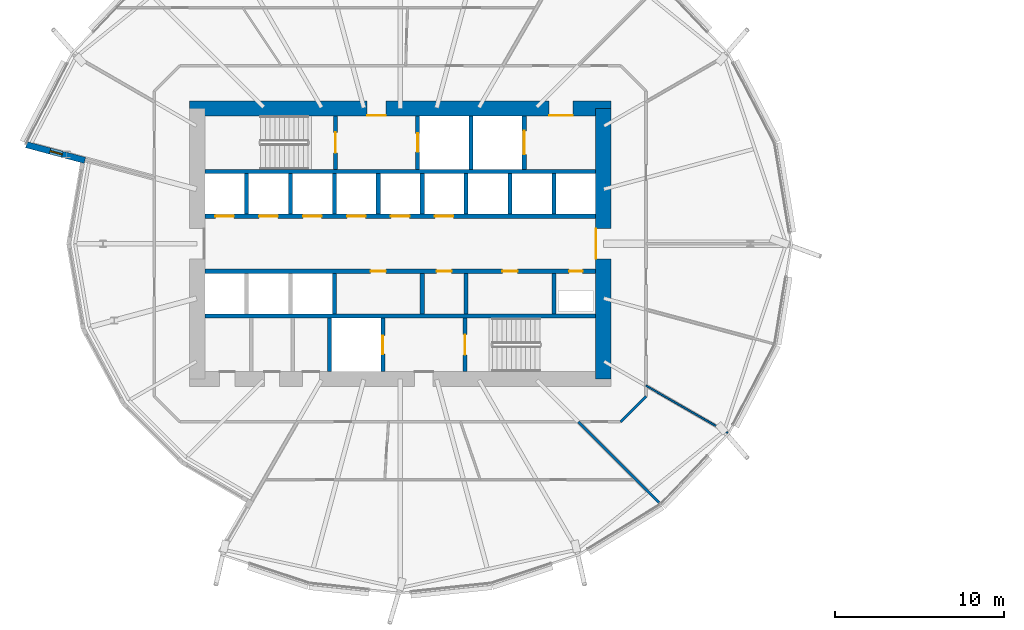
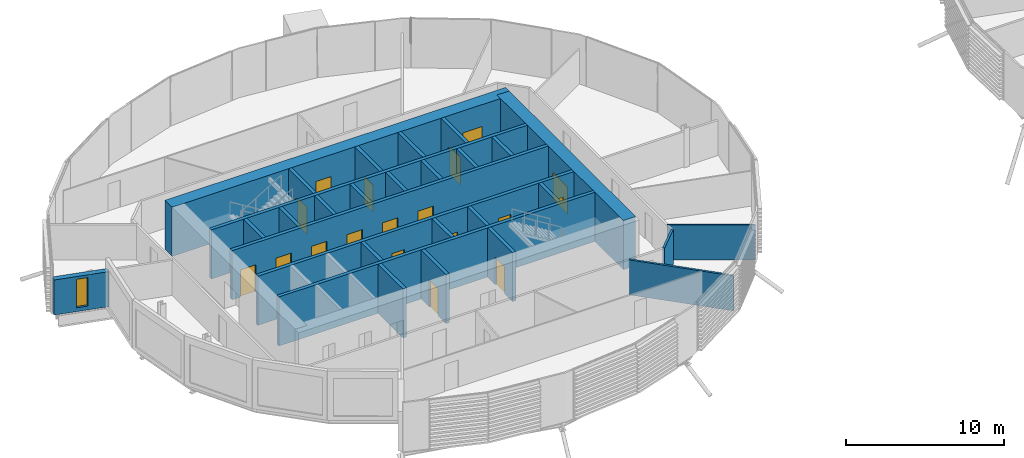
# One storey, part 22 of 38: 29 walls, 18 doors, 1 window, 19 openings.
"""IFC4 building model written with IfcOpenShell, lengths in metres."""

from ifc_helpers import new_model, si_unit, direction, frame, frame_2d, origin, place, context, subcontext, project, spatial, rectangle, extrude, material, layer, layer_set, type_object, element, fill, save


model = new_model("IFC4")

# Units and contexts
model_context = context("Model", 3, precision=1e-05, world=origin(), true_north=direction((0.0, 1.0)))
body_context = subcontext(model_context, "Body", "Model", "MODEL_VIEW")
ifc_project = project(units=[si_unit("LENGTHUNIT", "METRE"), si_unit("AREAUNIT", "SQUARE_METRE"), si_unit("VOLUMEUNIT", "CUBIC_METRE"), si_unit("PLANEANGLEUNIT", "RADIAN"), si_unit("MASSUNIT", "GRAM", prefix="KILO")], contexts=[model_context])

# Site, building, storey
site_placement = place(None, origin())
site = spatial("IfcSite", under=ifc_project, at=site_placement, CompositionType="ELEMENT")
building_placement = place(site_placement, origin())
building = spatial("IfcBuilding", under=site, at=building_placement, Name="Rimbun Link Towers", CompositionType="ELEMENT")
storey_placement = place(building_placement, frame((0.0, 0.0, 56.60009765625)))
storey = spatial("IfcBuildingStorey", under=building, at=storey_placement, Name="L13", CompositionType="ELEMENT", Elevation=56.60009765625)

# Wall, opening, window
ifc_material_1 = material(Name="Dark enamelled glass spandrel on insulated aluminium backpan", Category="aluminium")
ifc_layer_1 = layer(ifc_material_1, 0.3701171875)
ifc_layer_set_1 = layer_set([ifc_layer_1], Name="CS dark enamelled spandrel wall 370")
wall_type_1 = type_object("IfcWallType", Name="CS dark enamelled spandrel wall 370", PredefinedType="STANDARD", material=ifc_layer_set_1)
wall_1_placement = place(storey_placement, frame((-50.38671875, 4.926513671875, 0.0), z_axis=(0.0, 0.0, 1.0), x_axis=(-0.965929787715, 0.258804260405, 0.0)))
wall_1 = element("IfcWall", 1, at=wall_1_placement, inside=storey, type_object=wall_type_1, Name="Crease spandrel wall", PredefinedType="STANDARD", context=body_context, shape_type="SweptSolid", body=[
    extrude(rectangle(XDim=3.580078125, YDim=0.3701171875, at=frame_2d((1.7900390625, 0.0))), origin(), (0.0, 0.0, 1.0), 2.71142578125),
])
opening_1_placement = place(wall_1_placement, frame((1.38134765625, 0.0, 0.300048828125)))
opening_1 = element("IfcOpeningElement", 2, at=opening_1_placement, cuts=wall_1, Name="Opening WR08H220", PredefinedType="OPENING", context=body_context, shape_type="SweptSolid", body=[
    extrude(rectangle(XDim=0.75, YDim=2.199951171875, at=frame_2d((0.375, 1.10009765625))), frame((0.0, 0.195068359375, 0.0), z_axis=(0.0, -1.0, 0.0), x_axis=(1.0, 0.0, 0.0)), (0.0, 0.0, 1.0), 0.39013671875),
])
ifc_material_2 = material(Name="Aluminium framed fixed window, dark tinted low-e glass", Category="aluminium")
window_type = type_object("IfcWindowType", Name="WR ribbon window 750X2200", PartitioningType="SINGLE_PANEL", PredefinedType="WINDOW", material=ifc_material_2)
window_placement = place(opening_1_placement, origin())
window = element("IfcWindow", 3, at=window_placement, inside=storey, type_object=window_type, Name="Crease ribbon window", OverallHeight=2.199951171875, OverallWidth=0.75, PartitioningType="SINGLE_PANEL", PredefinedType="WINDOW", context=body_context, shape_type="SweptSolid", body=[
    extrude(rectangle(XDim=0.75, YDim=2.199951171875, at=frame_2d((0.375, 1.10009765625))), frame((0.0, 0.030029296875, 0.0), z_axis=(0.0, -1.0, 0.0), x_axis=(1.0, 0.0, 0.0)), (0.0, 0.0, 1.0), 0.06005859375),
])
fill(opening_1, window)

# Wall, openings, doors
ifc_material_3 = material(Name="Concrete C60/75", Category="concrete")
ifc_layer_2 = layer(ifc_material_3, 0.89990234375)
ifc_layer_set_2 = layer_set([ifc_layer_2], Name="Core shear wall 900")
wall_type_2 = type_object("IfcWallType", Name="Core shear wall 900", PredefinedType="SHEAR", material=ifc_layer_set_2)
wall_2_placement = place(storey_placement, frame((-44.199951171875, 8.0, 0.0), z_axis=(0.0, 0.0, 1.0), x_axis=(1.0, 0.0, 0.0)))
wall_2 = element("IfcWall", 4, at=wall_2_placement, inside=storey, type_object=wall_type_2, Name="L13 T1 core wall N", PredefinedType="SHEAR", context=body_context, shape_type="SweptSolid", body=[
    extrude(rectangle(XDim=24.89990234375, YDim=0.89990234375, at=frame_2d((12.449951171875, 0.0))), origin(), (0.0, 0.0, 1.0), 3.7998046875),
])
opening_2_placement = place(wall_2_placement, frame((10.5, 0.0, 0.0)))
opening_2 = element("IfcOpeningElement", 5, at=opening_2_placement, cuts=wall_2, Name="Opening C1DCF01N", PredefinedType="OPENING", context=body_context, shape_type="SweptSolid", body=[
    extrude(rectangle(XDim=1.10009765625, YDim=2.10009765625, at=frame_2d((0.550048828125, 1.050048828125))), frame((0.0, 0.4599609375, 0.0), z_axis=(0.0, -1.0, 0.0), x_axis=(1.0, 0.0, 0.0)), (0.0, 0.0, 1.0), 0.919921875),
])
opening_3_placement = place(wall_2_placement, frame((21.25, 0.0, 0.0)))
opening_3 = element("IfcOpeningElement", 6, at=opening_3_placement, cuts=wall_2, Name="Opening C1DSL02N", PredefinedType="OPENING", context=body_context, shape_type="SweptSolid", body=[
    extrude(rectangle(XDim=1.39990234375, YDim=2.10009765625, at=frame_2d((0.699951171875, 1.050048828125))), frame((0.0, 0.4599609375, 0.0), z_axis=(0.0, -1.0, 0.0), x_axis=(1.0, 0.0, 0.0)), (0.0, 0.0, 1.0), 0.919921875),
])
ifc_material_4 = material(Name="Steel fire door set", Category="steel")
door_type_1 = type_object("IfcDoorType", Name="Core fire door single", OperationType="SINGLE_SWING_LEFT", PredefinedType="DOOR", material=ifc_material_4)
door_1_placement = place(opening_2_placement, origin())
door_1 = element("IfcDoor", 7, at=door_1_placement, inside=storey, type_object=door_type_1, Name="L13 T1 firefighting lobby n door", OperationType="SINGLE_SWING_LEFT", OverallHeight=2.10009765625, OverallWidth=1.10009765625, PredefinedType="DOOR", context=body_context, shape_type="SweptSolid", body=[
    extrude(rectangle(XDim=1.10009765625, YDim=2.10009765625, at=frame_2d((0.550048828125, 1.050048828125))), frame((0.0, -0.39990234375, 0.0), z_axis=(0.0, -1.0, 0.0), x_axis=(1.0, 0.0, 0.0)), (0.0, 0.0, 1.0), 0.050048828125),
])
fill(opening_2, door_1)
ifc_material_5 = material(Name="Steel fire door set", Category="steel")
door_type_2 = type_object("IfcDoorType", Name="Service lobby door double", OperationType="DOUBLE_DOOR_SINGLE_SWING", PredefinedType="DOOR", material=ifc_material_5)
door_2_placement = place(opening_3_placement, origin())
door_2 = element("IfcDoor", 8, at=door_2_placement, inside=storey, type_object=door_type_2, Name="L13 T1 service lobby door", OperationType="DOUBLE_DOOR_SINGLE_SWING", OverallHeight=2.10009765625, OverallWidth=1.39990234375, PredefinedType="DOOR", context=body_context, shape_type="SweptSolid", body=[
    extrude(rectangle(XDim=1.39990234375, YDim=2.10009765625, at=frame_2d((0.699951171875, 1.050048828125))), frame((0.0, -0.39990234375, 0.0), z_axis=(0.0, -1.0, 0.0), x_axis=(1.0, 0.0, 0.0)), (0.0, 0.0, 1.0), 0.050048828125),
])
fill(opening_3, door_2)

# Wall, opening, door
wall_3_placement = place(storey_placement, frame((-19.75, -8.0, 0.0), z_axis=(0.0, 0.0, 1.0), x_axis=(0.0, 1.0, 0.0)))
wall_3 = element("IfcWall", 9, at=wall_3_placement, inside=storey, type_object=wall_type_2, Name="L13 T1 core wall E", PredefinedType="SHEAR", context=body_context, shape_type="SweptSolid", body=[
    extrude(rectangle(XDim=16.0, YDim=0.89990234375, at=frame_2d((8.0, 0.0))), origin(), (0.0, 0.0, 1.0), 3.7998046875),
])
opening_4_placement = place(wall_3_placement, frame((7.10009765625, 0.0, 0.0)))
opening_4 = element("IfcOpeningElement", 10, at=opening_4_placement, cuts=wall_3, Name="Opening C1DCL01E", PredefinedType="OPENING", context=body_context, shape_type="SweptSolid", body=[
    extrude(rectangle(XDim=1.800048828125, YDim=2.10009765625, at=frame_2d((0.89990234375, 1.050048828125))), frame((0.0, 0.4599609375, 0.0), z_axis=(0.0, -1.0, 0.0), x_axis=(1.0, 0.0, 0.0)), (0.0, 0.0, 1.0), 0.919921875),
])
ifc_material_6 = material(Name="Steel fire door set", Category="steel")
door_type_3 = type_object("IfcDoorType", Name="Core lobby door double", OperationType="DOUBLE_DOOR_SINGLE_SWING", PredefinedType="DOOR", material=ifc_material_6)
door_3_placement = place(opening_4_placement, origin())
door_3 = element("IfcDoor", 11, at=door_3_placement, inside=storey, type_object=door_type_3, Name="L13 T1 lift lobby door", OperationType="DOUBLE_DOOR_SINGLE_SWING", OverallHeight=2.10009765625, OverallWidth=1.800048828125, PredefinedType="DOOR", context=body_context, shape_type="SweptSolid", body=[
    extrude(rectangle(XDim=1.800048828125, YDim=2.10009765625, at=frame_2d((0.89990234375, 1.050048828125))), frame((0.0, 0.4501953125, 0.0), z_axis=(0.0, -1.0, 0.0), x_axis=(1.0, 0.0, 0.0)), (0.0, 0.0, 1.0), 0.050048828125),
])
fill(opening_4, door_3)

# Walls
ifc_material_7 = material(Name="Plasterboard on steel stud, mineral wool", Category="steel")
ifc_layer_3 = layer(ifc_material_7, 0.14990234375)
ifc_layer_set_3 = layer_set([ifc_layer_3], Name="Corridor wall EI 30 150 mm")
wall_type_3 = type_object("IfcWallType", Name="Corridor wall EI 30 150 mm", PredefinedType="PARTITIONING", material=ifc_layer_set_3)
wall_4_placement = place(storey_placement, frame((-18.723388671875, -10.52490234375, 0.0), z_axis=(0.0, 0.0, 1.0), x_axis=(0.707106781187, 0.707106781187, 0.0)))
element("IfcWall", 12, at=wall_4_placement, inside=storey, type_object=wall_type_3, Name="Corridor wall EI 30 150 mm", PredefinedType="PARTITIONING", context=body_context, shape_type="SweptSolid", body=[
    extrude(rectangle(XDim=2.118896484375, YDim=0.14990234375, at=frame_2d((1.0595703125, 0.0))), origin(), (0.0, 0.0, 1.0), 2.701904296875),
])
ifc_material_8 = material(Name="Plasterboard on steel stud", Category="steel")
ifc_layer_4 = layer(ifc_material_8, 0.10009765625)
ifc_layer_set_4 = layer_set([ifc_layer_4], Name="Plasterboard partition 100 mm")
wall_type_4 = type_object("IfcWallType", Name="Plasterboard partition 100 mm", PredefinedType="PARTITIONING", material=ifc_layer_set_4)
wall_5_placement = place(storey_placement, frame((-12.37646484375, -11.185302734375, 0.0), z_axis=(0.0, 0.0, 1.0), x_axis=(-0.866028733576, 0.499994232587, 0.0)))
element("IfcWall", 13, at=wall_5_placement, inside=storey, type_object=wall_type_4, Name="Plasterboard partition 100 mm", PredefinedType="PARTITIONING", context=body_context, shape_type="SweptSolid", body=[
    extrude(rectangle(XDim=5.5986328125, YDim=0.10009765625, at=frame_2d((2.79931640625, 0.0))), origin(), (0.0, 0.0, 1.0), 2.701904296875),
])
ifc_material_9 = material(Name="Concrete C60/75", Category="concrete")
ifc_layer_5 = layer(ifc_material_9, 0.25)
ifc_layer_set_5 = layer_set([ifc_layer_5], Name="Shaft wall 250")
wall_type_5 = type_object("IfcWallType", Name="Shaft wall 250", PredefinedType="SHEAR", material=ifc_layer_set_5)
for number, where, z_axis, x_axis, name in (
    (14, (-43.300048828125, 4.27490234375, 0.0), (0.0, 0.0, 1.0), (1.0, 0.0, 0.0), "L13 T1 core wall BN"),
    (15, (-43.300048828125, -4.27490234375, 0.0), (0.0, 0.0, 1.0), (1.0, 0.0, 0.0), "L13 T1 core wall BS"),
):
    element("IfcWall", number, at=place(storey_placement, frame(where, z_axis=z_axis, x_axis=x_axis)), inside=storey, type_object=wall_type_5, Name=name, PredefinedType="SHEAR", context=body_context, shape_type="SweptSolid", body=[
        extrude(rectangle(XDim=23.10009765625, YDim=0.25, at=frame_2d((11.550048828125, 0.0))), origin(), (0.0, 0.0, 1.0), 3.7998046875),
    ])

# Wall, openings, doors
wall_6_placement = place(storey_placement, frame((-43.300048828125, 1.625, 0.0), z_axis=(0.0, 0.0, 1.0), x_axis=(1.0, 0.0, 0.0)))
wall_6 = element("IfcWall", 16, at=wall_6_placement, inside=storey, type_object=wall_type_5, Name="L13 T1 core wall FN", PredefinedType="SHEAR", context=body_context, shape_type="SweptSolid", body=[
    extrude(rectangle(XDim=23.10009765625, YDim=0.25, at=frame_2d((11.550048828125, 0.0))), origin(), (0.0, 0.0, 1.0), 3.7998046875),
])
opening_5_placement = place(wall_6_placement, frame((0.622314453125, 0.0, 0.0)))
opening_5 = element("IfcOpeningElement", 17, at=opening_5_placement, cuts=wall_6, Name="Opening LD-T1-LR1", PredefinedType="OPENING", context=body_context, shape_type="SweptSolid", body=[
    extrude(rectangle(XDim=1.10009765625, YDim=2.10009765625, at=frame_2d((0.550048828125, 1.050048828125))), frame((0.0, 0.135009765625, 0.0), z_axis=(0.0, -1.0, 0.0), x_axis=(1.0, 0.0, 0.0)), (0.0, 0.0, 1.0), 0.27001953125),
])
opening_6_placement = place(wall_6_placement, frame((3.216796875, 0.0, 0.0)))
opening_6 = element("IfcOpeningElement", 18, at=opening_6_placement, cuts=wall_6, Name="Opening LD-T1-LR2", PredefinedType="OPENING", context=body_context, shape_type="SweptSolid", body=[
    extrude(rectangle(XDim=1.10009765625, YDim=2.10009765625, at=frame_2d((0.550048828125, 1.050048828125))), frame((0.0, 0.135009765625, 0.0), z_axis=(0.0, -1.0, 0.0), x_axis=(1.0, 0.0, 0.0)), (0.0, 0.0, 1.0), 0.27001953125),
])
opening_7_placement = place(wall_6_placement, frame((5.81103515625, 0.0, 0.0)))
opening_7 = element("IfcOpeningElement", 19, at=opening_7_placement, cuts=wall_6, Name="Opening LD-T1-LR3", PredefinedType="OPENING", context=body_context, shape_type="SweptSolid", body=[
    extrude(rectangle(XDim=1.10009765625, YDim=2.10009765625, at=frame_2d((0.550048828125, 1.050048828125))), frame((0.0, 0.135009765625, 0.0), z_axis=(0.0, -1.0, 0.0), x_axis=(1.0, 0.0, 0.0)), (0.0, 0.0, 1.0), 0.27001953125),
])
opening_8_placement = place(wall_6_placement, frame((8.405517578125, 0.0, 0.0)))
opening_8 = element("IfcOpeningElement", 20, at=opening_8_placement, cuts=wall_6, Name="Opening LD-T1-LR4", PredefinedType="OPENING", context=body_context, shape_type="SweptSolid", body=[
    extrude(rectangle(XDim=1.10009765625, YDim=2.10009765625, at=frame_2d((0.550048828125, 1.050048828125))), frame((0.0, 0.135009765625, 0.0), z_axis=(0.0, -1.0, 0.0), x_axis=(1.0, 0.0, 0.0)), (0.0, 0.0, 1.0), 0.27001953125),
])
opening_9_placement = place(wall_6_placement, frame((11.0, 0.0, 0.0)))
opening_9 = element("IfcOpeningElement", 21, at=opening_9_placement, cuts=wall_6, Name="Opening LD-T1-LR5", PredefinedType="OPENING", context=body_context, shape_type="SweptSolid", body=[
    extrude(rectangle(XDim=1.10009765625, YDim=2.10009765625, at=frame_2d((0.550048828125, 1.050048828125))), frame((0.0, 0.135009765625, 0.0), z_axis=(0.0, -1.0, 0.0), x_axis=(1.0, 0.0, 0.0)), (0.0, 0.0, 1.0), 0.27001953125),
])
opening_10_placement = place(wall_6_placement, frame((13.594482421875, 0.0, 0.0)))
opening_10 = element("IfcOpeningElement", 22, at=opening_10_placement, cuts=wall_6, Name="Opening LD-T1-LR6", PredefinedType="OPENING", context=body_context, shape_type="SweptSolid", body=[
    extrude(rectangle(XDim=1.10009765625, YDim=2.10009765625, at=frame_2d((0.550048828125, 1.050048828125))), frame((0.0, 0.135009765625, 0.0), z_axis=(0.0, -1.0, 0.0), x_axis=(1.0, 0.0, 0.0)), (0.0, 0.0, 1.0), 0.27001953125),
])
ifc_material_10 = material(Name="Stainless steel grade 316", Category="steel")
door_type_4 = type_object("IfcDoorType", Name="Lift landing door", OperationType="DOUBLE_DOOR_SLIDING", PredefinedType="DOOR", material=ifc_material_10)
door_4_placement = place(opening_5_placement, origin())
door_4 = element("IfcDoor", 23, at=door_4_placement, inside=storey, type_object=door_type_4, Name="L13 T1 lift LR1 landing door", OperationType="DOUBLE_DOOR_SLIDING", OverallHeight=2.10009765625, OverallWidth=1.10009765625, PredefinedType="DOOR", context=body_context, shape_type="SweptSolid", body=[
    extrude(rectangle(XDim=1.10009765625, YDim=2.10009765625, at=frame_2d((0.550048828125, 1.050048828125))), frame((0.0, 0.02490234375, 0.0), z_axis=(0.0, -1.0, 0.0), x_axis=(1.0, 0.0, 0.0)), (0.0, 0.0, 1.0), 0.050048828125),
])
fill(opening_5, door_4)
door_5_placement = place(opening_6_placement, origin())
door_5 = element("IfcDoor", 24, at=door_5_placement, inside=storey, type_object=door_type_4, Name="L13 T1 lift LR2 landing door", OperationType="DOUBLE_DOOR_SLIDING", OverallHeight=2.10009765625, OverallWidth=1.10009765625, PredefinedType="DOOR", context=body_context, shape_type="SweptSolid", body=[
    extrude(rectangle(XDim=1.10009765625, YDim=2.10009765625, at=frame_2d((0.550048828125, 1.050048828125))), frame((0.0, 0.02490234375, 0.0), z_axis=(0.0, -1.0, 0.0), x_axis=(1.0, 0.0, 0.0)), (0.0, 0.0, 1.0), 0.050048828125),
])
fill(opening_6, door_5)
door_6_placement = place(opening_7_placement, origin())
door_6 = element("IfcDoor", 25, at=door_6_placement, inside=storey, type_object=door_type_4, Name="L13 T1 lift LR3 landing door", OperationType="DOUBLE_DOOR_SLIDING", OverallHeight=2.10009765625, OverallWidth=1.10009765625, PredefinedType="DOOR", context=body_context, shape_type="SweptSolid", body=[
    extrude(rectangle(XDim=1.10009765625, YDim=2.10009765625, at=frame_2d((0.550048828125, 1.050048828125))), frame((0.0, 0.02490234375, 0.0), z_axis=(0.0, -1.0, 0.0), x_axis=(1.0, 0.0, 0.0)), (0.0, 0.0, 1.0), 0.050048828125),
])
fill(opening_7, door_6)
door_7_placement = place(opening_8_placement, origin())
door_7 = element("IfcDoor", 26, at=door_7_placement, inside=storey, type_object=door_type_4, Name="L13 T1 lift LR4 landing door", OperationType="DOUBLE_DOOR_SLIDING", OverallHeight=2.10009765625, OverallWidth=1.10009765625, PredefinedType="DOOR", context=body_context, shape_type="SweptSolid", body=[
    extrude(rectangle(XDim=1.10009765625, YDim=2.10009765625, at=frame_2d((0.550048828125, 1.050048828125))), frame((0.0, 0.02490234375, 0.0), z_axis=(0.0, -1.0, 0.0), x_axis=(1.0, 0.0, 0.0)), (0.0, 0.0, 1.0), 0.050048828125),
])
fill(opening_8, door_7)
door_8_placement = place(opening_9_placement, origin())
door_8 = element("IfcDoor", 27, at=door_8_placement, inside=storey, type_object=door_type_4, Name="L13 T1 lift LR5 landing door", OperationType="DOUBLE_DOOR_SLIDING", OverallHeight=2.10009765625, OverallWidth=1.10009765625, PredefinedType="DOOR", context=body_context, shape_type="SweptSolid", body=[
    extrude(rectangle(XDim=1.10009765625, YDim=2.10009765625, at=frame_2d((0.550048828125, 1.050048828125))), frame((0.0, 0.02490234375, 0.0), z_axis=(0.0, -1.0, 0.0), x_axis=(1.0, 0.0, 0.0)), (0.0, 0.0, 1.0), 0.050048828125),
])
fill(opening_9, door_8)
door_9_placement = place(opening_10_placement, origin())
door_9 = element("IfcDoor", 28, at=door_9_placement, inside=storey, type_object=door_type_4, Name="L13 T1 lift LR6 landing door", OperationType="DOUBLE_DOOR_SLIDING", OverallHeight=2.10009765625, OverallWidth=1.10009765625, PredefinedType="DOOR", context=body_context, shape_type="SweptSolid", body=[
    extrude(rectangle(XDim=1.10009765625, YDim=2.10009765625, at=frame_2d((0.550048828125, 1.050048828125))), frame((0.0, 0.02490234375, 0.0), z_axis=(0.0, -1.0, 0.0), x_axis=(1.0, 0.0, 0.0)), (0.0, 0.0, 1.0), 0.050048828125),
])
fill(opening_10, door_9)

wall_7_placement = place(storey_placement, frame((-43.300048828125, -1.625, 0.0), z_axis=(0.0, 0.0, 1.0), x_axis=(1.0, 0.0, 0.0)))
wall_7 = element("IfcWall", 29, at=wall_7_placement, inside=storey, type_object=wall_type_5, Name="L13 T1 core wall FS", PredefinedType="SHEAR", context=body_context, shape_type="SweptSolid", body=[
    extrude(rectangle(XDim=23.10009765625, YDim=0.25, at=frame_2d((11.550048828125, 0.0))), origin(), (0.0, 0.0, 1.0), 3.7998046875),
])
opening_11_placement = place(wall_7_placement, frame((9.802734375, 0.0, 0.0)))
opening_11 = element("IfcOpeningElement", 30, at=opening_11_placement, cuts=wall_7, Name="Opening C1DRS01FS", PredefinedType="OPENING", context=body_context, shape_type="SweptSolid", body=[
    extrude(rectangle(XDim=0.89990234375, YDim=2.10009765625, at=frame_2d((0.449951171875, 1.050048828125))), frame((0.0, 0.135009765625, 0.0), z_axis=(0.0, -1.0, 0.0), x_axis=(1.0, 0.0, 0.0)), (0.0, 0.0, 1.0), 0.27001953125),
])
opening_12_placement = place(wall_7_placement, frame((13.6943359375, 0.0, 0.0)))
opening_12 = element("IfcOpeningElement", 31, at=opening_12_placement, cuts=wall_7, Name="Opening C1DRS02FS", PredefinedType="OPENING", context=body_context, shape_type="SweptSolid", body=[
    extrude(rectangle(XDim=0.89990234375, YDim=2.10009765625, at=frame_2d((0.449951171875, 1.050048828125))), frame((0.0, 0.135009765625, 0.0), z_axis=(0.0, -1.0, 0.0), x_axis=(1.0, 0.0, 0.0)), (0.0, 0.0, 1.0), 0.27001953125),
])
opening_13_placement = place(wall_7_placement, frame((17.586181640625, 0.0, 0.0)))
opening_13 = element("IfcOpeningElement", 32, at=opening_13_placement, cuts=wall_7, Name="Opening C1DRS03FS", PredefinedType="OPENING", context=body_context, shape_type="SweptSolid", body=[
    extrude(rectangle(XDim=0.89990234375, YDim=2.10009765625, at=frame_2d((0.449951171875, 1.050048828125))), frame((0.0, 0.135009765625, 0.0), z_axis=(0.0, -1.0, 0.0), x_axis=(1.0, 0.0, 0.0)), (0.0, 0.0, 1.0), 0.27001953125),
])
opening_14_placement = place(wall_7_placement, frame((21.52783203125, 0.0, 0.0)))
opening_14 = element("IfcOpeningElement", 33, at=opening_14_placement, cuts=wall_7, Name="Opening C1DRA04FS", PredefinedType="OPENING", context=body_context, shape_type="SweptSolid", body=[
    extrude(rectangle(XDim=0.800048828125, YDim=2.10009765625, at=frame_2d((0.39990234375, 1.050048828125))), frame((0.0, 0.135009765625, 0.0), z_axis=(0.0, -1.0, 0.0), x_axis=(1.0, 0.0, 0.0)), (0.0, 0.0, 1.0), 0.27001953125),
])
ifc_material_11 = material(Name="Steel fire door set", Category="steel")
door_type_5 = type_object("IfcDoorType", Name="Core riser door", OperationType="SINGLE_SWING_LEFT", PredefinedType="DOOR", material=ifc_material_11)
door_10_placement = place(opening_11_placement, origin())
door_10 = element("IfcDoor", 34, at=door_10_placement, inside=storey, type_object=door_type_5, Name="L13 T1 mail room door", OperationType="SINGLE_SWING_LEFT", OverallHeight=2.10009765625, OverallWidth=0.89990234375, PredefinedType="DOOR", context=body_context, shape_type="SweptSolid", body=[
    extrude(rectangle(XDim=0.89990234375, YDim=2.10009765625, at=frame_2d((0.449951171875, 1.050048828125))), frame((0.0, 0.02490234375, 0.0), z_axis=(0.0, -1.0, 0.0), x_axis=(1.0, 0.0, 0.0)), (0.0, 0.0, 1.0), 0.050048828125),
])
fill(opening_11, door_10)
door_11_placement = place(opening_12_placement, origin())
door_11 = element("IfcDoor", 35, at=door_11_placement, inside=storey, type_object=door_type_5, Name="L13 T1 it cupboard door", OperationType="SINGLE_SWING_LEFT", OverallHeight=2.10009765625, OverallWidth=0.89990234375, PredefinedType="DOOR", context=body_context, shape_type="SweptSolid", body=[
    extrude(rectangle(XDim=0.89990234375, YDim=2.10009765625, at=frame_2d((0.449951171875, 1.050048828125))), frame((0.0, 0.02490234375, 0.0), z_axis=(0.0, -1.0, 0.0), x_axis=(1.0, 0.0, 0.0)), (0.0, 0.0, 1.0), 0.050048828125),
])
fill(opening_12, door_11)
door_12_placement = place(opening_13_placement, origin())
door_12 = element("IfcDoor", 36, at=door_12_placement, inside=storey, type_object=door_type_5, Name="L13 T1 pantry door", OperationType="SINGLE_SWING_LEFT", OverallHeight=2.10009765625, OverallWidth=0.89990234375, PredefinedType="DOOR", context=body_context, shape_type="SweptSolid", body=[
    extrude(rectangle(XDim=0.89990234375, YDim=2.10009765625, at=frame_2d((0.449951171875, 1.050048828125))), frame((0.0, 0.02490234375, 0.0), z_axis=(0.0, -1.0, 0.0), x_axis=(1.0, 0.0, 0.0)), (0.0, 0.0, 1.0), 0.050048828125),
])
fill(opening_13, door_12)
ifc_material_12 = material(Name="Steel fire door set", Category="steel")
door_type_6 = type_object("IfcDoorType", Name="Riser access door 800 x 2100", OperationType="SINGLE_SWING_LEFT", PredefinedType="DOOR", material=ifc_material_12)
door_13_placement = place(opening_14_placement, origin())
door_13 = element("IfcDoor", 37, at=door_13_placement, inside=storey, type_object=door_type_6, Name="L13 T1 riser cupboard door", OperationType="SINGLE_SWING_RIGHT", OverallHeight=2.10009765625, OverallWidth=0.800048828125, PredefinedType="DOOR", context=body_context, shape_type="SweptSolid", body=[
    extrude(rectangle(XDim=0.800048828125, YDim=2.10009765625, at=frame_2d((0.39990234375, 1.050048828125))), frame((0.0, 0.02490234375, 0.0), z_axis=(0.0, -1.0, 0.0), x_axis=(1.0, 0.0, 0.0)), (0.0, 0.0, 1.0), 0.050048828125),
])
fill(opening_14, door_13)

# Walls
for number, where, z_axis, x_axis, name in (
    (38, (-40.83056640625, 1.75, 0.0), (0.0, 0.0, 1.0), (0.0, 1.0, 0.0), "L13 T1 core wall DN0"),
    (39, (-38.236083984375, 1.75, 0.0), (0.0, 0.0, 1.0), (0.0, 1.0, 0.0), "L13 T1 core wall DN1"),
    (40, (-35.6416015625, 1.75, 0.0), (0.0, 0.0, 1.0), (0.0, 1.0, 0.0), "L13 T1 core wall DN2"),
    (41, (-33.047119140625, 1.75, 0.0), (0.0, 0.0, 1.0), (0.0, 1.0, 0.0), "L13 T1 core wall DN3"),
    (42, (-30.452880859375, 1.75, 0.0), (0.0, 0.0, 1.0), (0.0, 1.0, 0.0), "L13 T1 core wall DN4"),
    (43, (-27.8583984375, 1.75, 0.0), (0.0, 0.0, 1.0), (0.0, 1.0, 0.0), "L13 T1 core wall DN5"),
    (44, (-25.263916015625, 1.75, 0.0), (0.0, 0.0, 1.0), (0.0, 1.0, 0.0), "L13 T1 core wall DN6"),
    (45, (-22.66943359375, 1.75, 0.0), (0.0, 0.0, 1.0), (0.0, 1.0, 0.0), "L13 T1 core wall DN7"),
    (46, (-35.6416015625, -4.14990234375, 0.0), (0.0, 0.0, 1.0), (0.0, 1.0, 0.0), "L13 T1 core wall DS2"),
    (47, (-30.452880859375, -4.14990234375, 0.0), (0.0, 0.0, 1.0), (0.0, 1.0, 0.0), "L13 T1 core wall DS4"),
    (48, (-27.8583984375, -4.14990234375, 0.0), (0.0, 0.0, 1.0), (0.0, 1.0, 0.0), "L13 T1 core wall DS5"),
    (49, (-22.66943359375, -4.14990234375, 0.0), (0.0, 0.0, 1.0), (0.0, 1.0, 0.0), "L13 T1 core wall DS7"),
):
    element("IfcWall", number, at=place(storey_placement, frame(where, z_axis=z_axis, x_axis=x_axis)), inside=storey, type_object=wall_type_5, Name=name, PredefinedType="SHEAR", context=body_context, shape_type="SweptSolid", body=[
        extrude(rectangle(XDim=2.39990234375, YDim=0.25, at=frame_2d((1.199951171875, 0.0))), origin(), (0.0, 0.0, 1.0), 3.7998046875),
    ])

# Wall, opening, door
wall_8_placement = place(storey_placement, frame((-35.574951171875, 4.39990234375, 0.0), z_axis=(0.0, 0.0, 1.0), x_axis=(0.0, 1.0, 0.0)))
wall_8 = element("IfcWall", 50, at=wall_8_placement, inside=storey, type_object=wall_type_5, Name="L13 T1 core wall A1", PredefinedType="SHEAR", context=body_context, shape_type="SweptSolid", body=[
    extrude(rectangle(XDim=3.150146484375, YDim=0.25, at=frame_2d((1.5751953125, 0.0))), origin(), (0.0, 0.0, 1.0), 3.7998046875),
])
opening_15_placement = place(wall_8_placement, frame((0.97509765625, 0.0, 0.0)))
opening_15 = element("IfcOpeningElement", 51, at=opening_15_placement, cuts=wall_8, Name="Opening C1DST01A1", PredefinedType="OPENING", context=body_context, shape_type="SweptSolid", body=[
    extrude(rectangle(XDim=1.199951171875, YDim=2.10009765625, at=frame_2d((0.60009765625, 1.050048828125))), frame((0.0, 0.135009765625, 0.0), z_axis=(0.0, -1.0, 0.0), x_axis=(1.0, 0.0, 0.0)), (0.0, 0.0, 1.0), 0.27001953125),
])
ifc_material_13 = material(Name="Steel fire door set", Category="steel")
door_type_7 = type_object("IfcDoorType", Name="Stair door", OperationType="SINGLE_SWING_LEFT", PredefinedType="DOOR", material=ifc_material_13)
door_14_placement = place(opening_15_placement, origin())
door_14 = element("IfcDoor", 52, at=door_14_placement, inside=storey, type_object=door_type_7, Name="L13 T1 stair a door", OperationType="SINGLE_SWING_RIGHT", OverallHeight=2.10009765625, OverallWidth=1.199951171875, PredefinedType="DOOR", context=body_context, shape_type="SweptSolid", body=[
    extrude(rectangle(XDim=1.199951171875, YDim=2.10009765625, at=frame_2d((0.60009765625, 1.050048828125))), frame((0.0, 0.02490234375, 0.0), z_axis=(0.0, -1.0, 0.0), x_axis=(1.0, 0.0, 0.0)), (0.0, 0.0, 1.0), 0.050048828125),
])
fill(opening_15, door_14)

wall_9_placement = place(storey_placement, frame((-30.72509765625, 4.39990234375, 0.0), z_axis=(0.0, 0.0, 1.0), x_axis=(0.0, 1.0, 0.0)))
wall_9 = element("IfcWall", 53, at=wall_9_placement, inside=storey, type_object=wall_type_5, Name="L13 T1 core wall A2", PredefinedType="SHEAR", context=body_context, shape_type="SweptSolid", body=[
    extrude(rectangle(XDim=3.150146484375, YDim=0.25, at=frame_2d((1.5751953125, 0.0))), origin(), (0.0, 0.0, 1.0), 3.7998046875),
])
opening_16_placement = place(wall_9_placement, frame((1.02490234375, 0.0, 0.0)))
opening_16 = element("IfcOpeningElement", 54, at=opening_16_placement, cuts=wall_9, Name="Opening LD-T1-FF1", PredefinedType="OPENING", context=body_context, shape_type="SweptSolid", body=[
    extrude(rectangle(XDim=1.10009765625, YDim=2.10009765625, at=frame_2d((0.550048828125, 1.050048828125))), frame((0.0, 0.135009765625, 0.0), z_axis=(0.0, -1.0, 0.0), x_axis=(1.0, 0.0, 0.0)), (0.0, 0.0, 1.0), 0.27001953125),
])
door_15_placement = place(opening_16_placement, origin())
door_15 = element("IfcDoor", 55, at=door_15_placement, inside=storey, type_object=door_type_4, Name="L13 T1 lift FF1 landing door", OperationType="DOUBLE_DOOR_SLIDING", OverallHeight=2.10009765625, OverallWidth=1.10009765625, PredefinedType="DOOR", context=body_context, shape_type="SweptSolid", body=[
    extrude(rectangle(XDim=1.10009765625, YDim=2.10009765625, at=frame_2d((0.550048828125, 1.050048828125))), frame((0.0, 0.02490234375, 0.0), z_axis=(0.0, -1.0, 0.0), x_axis=(1.0, 0.0, 0.0)), (0.0, 0.0, 1.0), 0.050048828125),
])
fill(opening_16, door_15)

# Wall
wall_10_placement = place(storey_placement, frame((-27.574951171875, 4.39990234375, 0.0), z_axis=(0.0, 0.0, 1.0), x_axis=(0.0, 1.0, 0.0)))
element("IfcWall", 56, at=wall_10_placement, inside=storey, type_object=wall_type_5, Name="L13 T1 core wall A3", PredefinedType="SHEAR", context=body_context, shape_type="SweptSolid", body=[
    extrude(rectangle(XDim=3.150146484375, YDim=0.25, at=frame_2d((1.5751953125, 0.0))), origin(), (0.0, 0.0, 1.0), 3.7998046875),
])

# Wall, opening, door
wall_11_placement = place(storey_placement, frame((-24.425048828125, 4.39990234375, 0.0), z_axis=(0.0, 0.0, 1.0), x_axis=(0.0, 1.0, 0.0)))
wall_11 = element("IfcWall", 57, at=wall_11_placement, inside=storey, type_object=wall_type_5, Name="L13 T1 core wall A4", PredefinedType="SHEAR", context=body_context, shape_type="SweptSolid", body=[
    extrude(rectangle(XDim=3.150146484375, YDim=0.25, at=frame_2d((1.5751953125, 0.0))), origin(), (0.0, 0.0, 1.0), 3.7998046875),
])
opening_17_placement = place(wall_11_placement, frame((0.875, 0.0, 0.0)))
opening_17 = element("IfcOpeningElement", 58, at=opening_17_placement, cuts=wall_11, Name="Opening LD-T1-GL1", PredefinedType="OPENING", context=body_context, shape_type="SweptSolid", body=[
    extrude(rectangle(XDim=1.39990234375, YDim=2.10009765625, at=frame_2d((0.699951171875, 1.050048828125))), frame((0.0, 0.135009765625, 0.0), z_axis=(0.0, -1.0, 0.0), x_axis=(1.0, 0.0, 0.0)), (0.0, 0.0, 1.0), 0.27001953125),
])
ifc_material_14 = material(Name="Stainless steel grade 316", Category="steel")
door_type_8 = type_object("IfcDoorType", Name="Goods lift landing door", OperationType="DOUBLE_DOOR_SLIDING", PredefinedType="DOOR", material=ifc_material_14)
door_16_placement = place(opening_17_placement, origin())
door_16 = element("IfcDoor", 59, at=door_16_placement, inside=storey, type_object=door_type_8, Name="L13 T1 lift GL1 landing door", OperationType="DOUBLE_DOOR_SLIDING", OverallHeight=2.10009765625, OverallWidth=1.39990234375, PredefinedType="DOOR", context=body_context, shape_type="SweptSolid", body=[
    extrude(rectangle(XDim=1.39990234375, YDim=2.10009765625, at=frame_2d((0.699951171875, 1.050048828125))), frame((0.0, 0.02490234375, 0.0), z_axis=(0.0, -1.0, 0.0), x_axis=(1.0, 0.0, 0.0)), (0.0, 0.0, 1.0), 0.050048828125),
])
fill(opening_17, door_16)

wall_12_placement = place(storey_placement, frame((-27.925048828125, -4.39990234375, 0.0), z_axis=(0.0, 0.0, 1.0), x_axis=(0.0, -1.0, 0.0)))
wall_12 = element("IfcWall", 60, at=wall_12_placement, inside=storey, type_object=wall_type_5, Name="L13 T1 core wall B1", PredefinedType="SHEAR", context=body_context, shape_type="SweptSolid", body=[
    extrude(rectangle(XDim=3.150146484375, YDim=0.25, at=frame_2d((1.5751953125, 0.0))), origin(), (0.0, 0.0, 1.0), 3.7998046875),
])
opening_18_placement = place(wall_12_placement, frame((0.97509765625, 0.0, 0.0)))
opening_18 = element("IfcOpeningElement", 61, at=opening_18_placement, cuts=wall_12, Name="Opening C1DST01B1", PredefinedType="OPENING", context=body_context, shape_type="SweptSolid", body=[
    extrude(rectangle(XDim=1.199951171875, YDim=2.10009765625, at=frame_2d((0.60009765625, 1.050048828125))), frame((0.0, 0.135009765625, 0.0), z_axis=(0.0, -1.0, 0.0), x_axis=(1.0, 0.0, 0.0)), (0.0, 0.0, 1.0), 0.27001953125),
])
door_17_placement = place(opening_18_placement, origin())
door_17 = element("IfcDoor", 62, at=door_17_placement, inside=storey, type_object=door_type_7, Name="L13 T1 stair b door", OperationType="SINGLE_SWING_RIGHT", OverallHeight=2.10009765625, OverallWidth=1.199951171875, PredefinedType="DOOR", context=body_context, shape_type="SweptSolid", body=[
    extrude(rectangle(XDim=1.199951171875, YDim=2.10009765625, at=frame_2d((0.60009765625, 1.050048828125))), frame((0.0, 0.02490234375, 0.0), z_axis=(0.0, -1.0, 0.0), x_axis=(1.0, 0.0, 0.0)), (0.0, 0.0, 1.0), 0.050048828125),
])
fill(opening_18, door_17)

wall_13_placement = place(storey_placement, frame((-32.77490234375, -4.39990234375, 0.0), z_axis=(0.0, 0.0, 1.0), x_axis=(0.0, -1.0, 0.0)))
wall_13 = element("IfcWall", 63, at=wall_13_placement, inside=storey, type_object=wall_type_5, Name="L13 T1 core wall B2", PredefinedType="SHEAR", context=body_context, shape_type="SweptSolid", body=[
    extrude(rectangle(XDim=3.150146484375, YDim=0.25, at=frame_2d((1.5751953125, 0.0))), origin(), (0.0, 0.0, 1.0), 3.7998046875),
])
opening_19_placement = place(wall_13_placement, frame((1.02490234375, 0.0, 0.0)))
opening_19 = element("IfcOpeningElement", 64, at=opening_19_placement, cuts=wall_13, Name="Opening LD-T1-FF2", PredefinedType="OPENING", context=body_context, shape_type="SweptSolid", body=[
    extrude(rectangle(XDim=1.10009765625, YDim=2.10009765625, at=frame_2d((0.550048828125, 1.050048828125))), frame((0.0, 0.135009765625, 0.0), z_axis=(0.0, -1.0, 0.0), x_axis=(1.0, 0.0, 0.0)), (0.0, 0.0, 1.0), 0.27001953125),
])
door_18_placement = place(opening_19_placement, origin())
door_18 = element("IfcDoor", 65, at=door_18_placement, inside=storey, type_object=door_type_4, Name="L13 T1 lift FF2 landing door", OperationType="DOUBLE_DOOR_SLIDING", OverallHeight=2.10009765625, OverallWidth=1.10009765625, PredefinedType="DOOR", context=body_context, shape_type="SweptSolid", body=[
    extrude(rectangle(XDim=1.10009765625, YDim=2.10009765625, at=frame_2d((0.550048828125, 1.050048828125))), frame((0.0, 0.02490234375, 0.0), z_axis=(0.0, -1.0, 0.0), x_axis=(1.0, 0.0, 0.0)), (0.0, 0.0, 1.0), 0.050048828125),
])
fill(opening_19, door_18)

# Walls
wall_14_placement = place(storey_placement, frame((-35.925048828125, -4.39990234375, 0.0), z_axis=(0.0, 0.0, 1.0), x_axis=(0.0, -1.0, 0.0)))
element("IfcWall", 66, at=wall_14_placement, inside=storey, type_object=wall_type_5, Name="L13 T1 core wall B3", PredefinedType="SHEAR", context=body_context, shape_type="SweptSolid", body=[
    extrude(rectangle(XDim=3.150146484375, YDim=0.25, at=frame_2d((1.5751953125, 0.0))), origin(), (0.0, 0.0, 1.0), 3.7998046875),
])
ifc_material_15 = material(Name="Plasterboard on steel stud, mineral wool", Category="steel")
ifc_layer_6 = layer(ifc_material_15, 0.14990234375)
ifc_layer_set_6 = layer_set([ifc_layer_6], Name="Tenancy separation wall EI 60 150 mm")
wall_type_6 = type_object("IfcWallType", Name="Tenancy separation wall EI 60 150 mm", PredefinedType="PARTITIONING", material=ifc_layer_set_6)
wall_15_placement = place(storey_placement, frame((-21.22509765625, -10.52490234375, 0.0), z_axis=(0.0, 0.0, 1.0), x_axis=(0.707106781187, -0.707106781187, 0.0)))
element("IfcWall", 67, at=wall_15_placement, inside=storey, type_object=wall_type_6, Name="Tenancy separation wall EI 60 150 mm", PredefinedType="PARTITIONING", context=body_context, shape_type="SweptSolid", body=[
    extrude(rectangle(XDim=6.845703125, YDim=0.14990234375, at=frame_2d((3.4228515625, 0.0))), origin(), (0.0, 0.0, 1.0), 2.701904296875),
])

save(model, "model.ifc")
